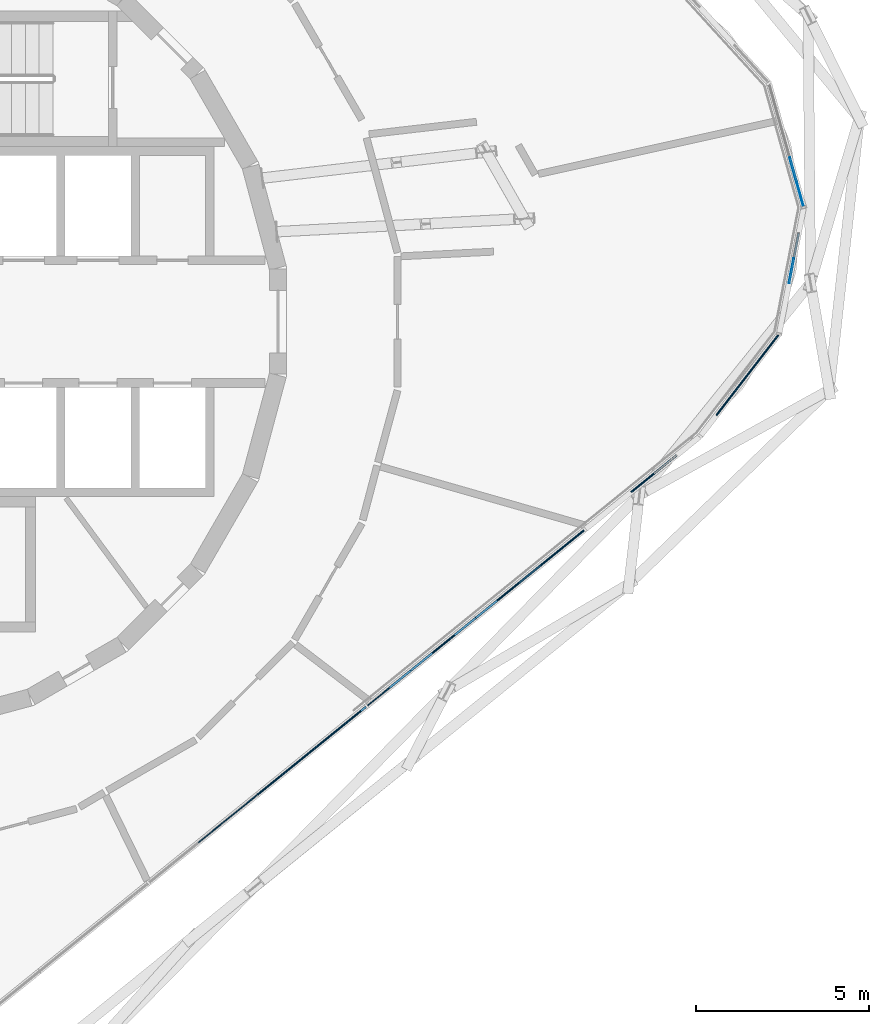
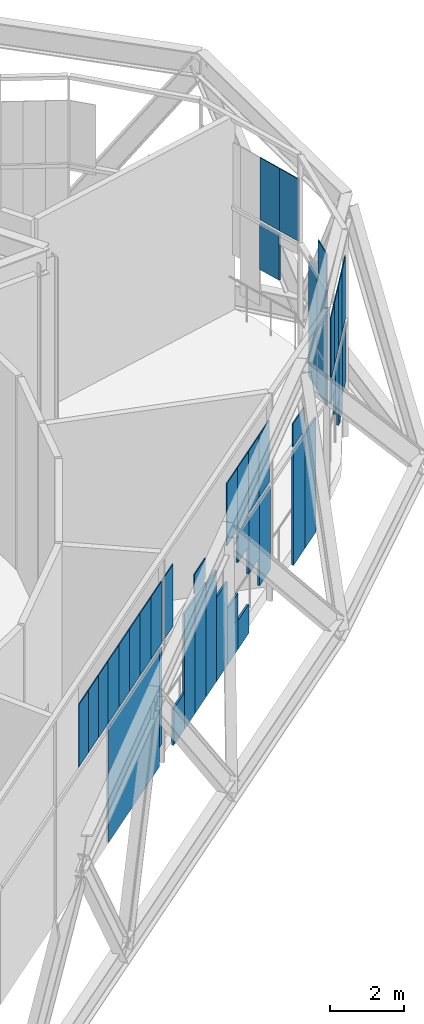
# One storey, part 13 of 25: 43 plates, 2 elements without a shape of their own.
"""IFC4 building model written with IfcOpenShell, lengths in metres."""

from ifc_helpers import new_model, si_unit, direction, frame, origin, origin_2d, place, context, subcontext, project, spatial, rectangle, extrude, material, layer, layer_set, type_object, element, aggregate, save


model = new_model("IFC4")

# Units and contexts
model_context = context("Model", 3, precision=1e-05, world=origin(), true_north=direction((0.0, 1.0)))
body_context = subcontext(model_context, "Body", "Model", "MODEL_VIEW")
ifc_project = project(units=[si_unit("LENGTHUNIT", "METRE"), si_unit("AREAUNIT", "SQUARE_METRE"), si_unit("VOLUMEUNIT", "CUBIC_METRE"), si_unit("PLANEANGLEUNIT", "RADIAN"), si_unit("MASSUNIT", "GRAM", prefix="KILO")], contexts=[model_context])

# Site, building, storey
site_placement = place(None, origin())
site = spatial("IfcSite", under=ifc_project, at=site_placement, CompositionType="ELEMENT")
building_placement = place(site_placement, origin())
building = spatial("IfcBuilding", under=site, at=building_placement, Name="Spindle Arch Residences", CompositionType="ELEMENT")
storey_placement = place(building_placement, frame((0.0, 0.0, 291.39990234375)))
storey = spatial("IfcBuildingStorey", under=building, at=storey_placement, Name="L75", CompositionType="ELEMENT", Elevation=291.39990234375)

# Curtain wall, plates
ifc_material_1 = material(Name="Aluminium bronze unitised frame with tinted glass", Category="aluminium")
ifc_layer_1 = layer(ifc_material_1, 0.159912109375)
ifc_layer_set_1 = layer_set([ifc_layer_1], Name="CW-E double-height winter garden wall")
curtain_wall_type = type_object("IfcCurtainWallType", Name="CW-E double-height winter garden wall", PredefinedType="NOTDEFINED", material=ifc_layer_set_1)
curtain_wall_1_placement = place(storey_placement, origin())
curtain_wall_1 = element("IfcCurtainWall", 1, at=curtain_wall_1_placement, inside=storey, type_object=curtain_wall_type, Name="CW-E L75 run 1", PredefinedType="NOTDEFINED")
ifc_material_2 = material(Name="Tinted laminated glass 28 mm", Category="glass")
ifc_layer_2 = layer(ifc_material_2, 0.028076171875)
ifc_layer_set_2 = layer_set([ifc_layer_2], Name="Tinted glass panel 28 mm")
plate_type_1 = type_object("IfcPlateType", Name="Tinted glass panel 28 mm", PredefinedType="CURTAIN_PANEL", material=ifc_layer_set_2)
plate_1_placement = place(storey_placement, frame((22.178466796875, -4.6572265625, 3.460205078125), z_axis=(0.0, 0.0, 1.0), x_axis=(0.777145961457, 0.62932039105, 0.0)))
plate_1 = element("IfcPlate", 2, at=plate_1_placement, type_object=plate_type_1, Name="CW-E panel 00b.1", PredefinedType="CURTAIN_PANEL", context=body_context, shape_type="SweptSolid", body=[
    extrude(rectangle(XDim=0.845458984375, YDim=0.028076171875, at=origin_2d()), origin(), (0.0, 0.0, 1.0), 0.763671875),
])
plate_2_placement = place(storey_placement, frame((24.534912109375, -2.41357421875, 3.460205078125), z_axis=(0.0, 0.0, 1.0), x_axis=(0.611066622764, 0.791579170105, 0.0)))
plate_2 = element("IfcPlate", 3, at=plate_2_placement, type_object=plate_type_1, Name="CW-E panel 01b.1", PredefinedType="CURTAIN_PANEL", context=body_context, shape_type="SweptSolid", body=[
    extrude(rectangle(XDim=0.7333984375, YDim=0.028076171875, at=origin_2d()), origin(), (0.0, 0.0, 1.0), 2.0458984375),
])
plate_3_placement = place(storey_placement, frame((24.98291015625, -1.833251953125, 3.460205078125), z_axis=(0.0, 0.0, 1.0), x_axis=(0.611066622764, 0.791579170105, 0.0)))
plate_3 = element("IfcPlate", 4, at=plate_3_placement, type_object=plate_type_1, Name="CW-E panel 01b.2", PredefinedType="CURTAIN_PANEL", context=body_context, shape_type="SweptSolid", body=[
    extrude(rectangle(XDim=0.7333984375, YDim=0.028076171875, at=origin_2d()), origin(), (0.0, 0.0, 1.0), 2.0458984375),
])
plate_4_placement = place(storey_placement, frame((25.43115234375, -1.252685546875, 3.460205078125), z_axis=(0.0, 0.0, 1.0), x_axis=(0.611066622764, 0.791579170105, 0.0)))
plate_4 = element("IfcPlate", 5, at=plate_4_placement, type_object=plate_type_1, Name="CW-E panel 01b.3", PredefinedType="CURTAIN_PANEL", context=body_context, shape_type="SweptSolid", body=[
    extrude(rectangle(XDim=0.7333984375, YDim=0.028076171875, at=origin_2d()), origin(), (0.0, 0.0, 1.0), 2.0458984375),
])
plate_5_placement = place(storey_placement, frame((25.879150390625, -0.672119140625, 3.460205078125), z_axis=(0.0, 0.0, 1.0), x_axis=(0.611066622764, 0.791579170105, 0.0)))
plate_5 = element("IfcPlate", 6, at=plate_5_placement, type_object=plate_type_1, Name="CW-E panel 01b.4", PredefinedType="CURTAIN_PANEL", context=body_context, shape_type="SweptSolid", body=[
    extrude(rectangle(XDim=0.7333984375, YDim=0.028076171875, at=origin_2d()), origin(), (0.0, 0.0, 1.0), 2.0458984375),
])
plate_6_placement = place(storey_placement, frame((26.47705078125, 1.470947265625, 3.460205078125), z_axis=(0.0, 0.0, 1.0), x_axis=(0.190808994811, 0.981627183558, 0.0)))
plate_6 = element("IfcPlate", 7, at=plate_6_placement, type_object=plate_type_1, Name="CW-E panel 02b.1", PredefinedType="CURTAIN_PANEL", context=body_context, shape_type="SweptSolid", body=[
    extrude(rectangle(XDim=0.7333984375, YDim=0.028076171875, at=origin_2d()), origin(), (0.0, 0.0, 1.0), 1.076171875),
])
plate_7_placement = place(storey_placement, frame((26.7255859375, 3.68212890625, 3.460205078125), z_axis=(0.0, 0.0, 1.0), x_axis=(-0.270040328007, 0.962849012696, 0.0)))
plate_7 = element("IfcPlate", 8, at=plate_7_placement, type_object=plate_type_1, Name="CW-E panel 03b.1", PredefinedType="CURTAIN_PANEL", context=body_context, shape_type="SweptSolid", body=[
    extrude(rectangle(XDim=0.7333984375, YDim=0.028076171875, at=origin_2d()), origin(), (0.0, 0.0, 1.0), 2.0458984375),
])
plate_8_placement = place(storey_placement, frame((26.527587890625, 4.38818359375, 3.460205078125), z_axis=(0.0, 0.0, 1.0), x_axis=(-0.270040328007, 0.962849012696, 0.0)))
plate_8 = element("IfcPlate", 9, at=plate_8_placement, type_object=plate_type_1, Name="CW-E panel 03b.2", PredefinedType="CURTAIN_PANEL", context=body_context, shape_type="SweptSolid", body=[
    extrude(rectangle(XDim=0.7333984375, YDim=0.028076171875, at=origin_2d()), origin(), (0.0, 0.0, 1.0), 2.0458984375),
])

curtain_wall_2_placement = place(storey_placement, origin())
curtain_wall_2 = element("IfcCurtainWall", 10, at=curtain_wall_2_placement, inside=storey, type_object=curtain_wall_type, Name="CW-E L75 run 6", PredefinedType="NOTDEFINED")
plate_9_placement = place(storey_placement, frame((9.6376953125, -14.8125, 3.460205078125), z_axis=(0.0, 0.0, 1.0), x_axis=(0.777145961457, 0.62932039105, 0.0)))
plate_9 = element("IfcPlate", 11, at=plate_9_placement, type_object=plate_type_1, Name="CW-E panel 19Ab.2", PredefinedType="CURTAIN_PANEL", context=body_context, shape_type="SweptSolid", body=[
    extrude(rectangle(XDim=0.732666015625, YDim=0.028076171875, at=origin_2d()), origin(), (0.0, 0.0, 1.0), 2.0458984375),
])
plate_10_placement = place(storey_placement, frame((10.20703125, -14.351318359375, 3.460205078125), z_axis=(0.0, 0.0, 1.0), x_axis=(0.777145961457, 0.62932039105, 0.0)))
plate_10 = element("IfcPlate", 12, at=plate_10_placement, type_object=plate_type_1, Name="CW-E panel 19Ab.3", PredefinedType="CURTAIN_PANEL", context=body_context, shape_type="SweptSolid", body=[
    extrude(rectangle(XDim=0.732666015625, YDim=0.028076171875, at=origin_2d()), origin(), (0.0, 0.0, 1.0), 2.0458984375),
])
plate_11_placement = place(storey_placement, frame((10.776611328125, -13.89013671875, 3.460205078125), z_axis=(0.0, 0.0, 1.0), x_axis=(0.777145961457, 0.62932039105, 0.0)))
plate_11 = element("IfcPlate", 13, at=plate_11_placement, type_object=plate_type_1, Name="CW-E panel 19Ab.4", PredefinedType="CURTAIN_PANEL", context=body_context, shape_type="SweptSolid", body=[
    extrude(rectangle(XDim=0.732666015625, YDim=0.028076171875, at=origin_2d()), origin(), (0.0, 0.0, 1.0), 2.0458984375),
])
plate_12_placement = place(storey_placement, frame((11.3740234375, -13.40625, 3.460205078125), z_axis=(0.0, 0.0, 1.0), x_axis=(0.777145961457, 0.62932039105, 0.0)))
plate_12 = element("IfcPlate", 14, at=plate_12_placement, type_object=plate_type_1, Name="CW-E panel 19Bb.1", PredefinedType="CURTAIN_PANEL", context=body_context, shape_type="SweptSolid", body=[
    extrude(rectangle(XDim=0.8046875, YDim=0.028076171875, at=origin_2d()), origin(), (0.0, 0.0, 1.0), 2.0458984375),
])
plate_13_placement = place(storey_placement, frame((11.99951171875, -12.89990234375, 3.460205078125), z_axis=(0.0, 0.0, 1.0), x_axis=(0.777145961457, 0.62932039105, 0.0)))
plate_13 = element("IfcPlate", 15, at=plate_13_placement, type_object=plate_type_1, Name="CW-E panel 19Bb.2", PredefinedType="CURTAIN_PANEL", context=body_context, shape_type="SweptSolid", body=[
    extrude(rectangle(XDim=0.8046875, YDim=0.028076171875, at=origin_2d()), origin(), (0.0, 0.0, 1.0), 2.0458984375),
])
plate_14_placement = place(storey_placement, frame((12.624755859375, -12.3935546875, 3.460205078125), z_axis=(0.0, 0.0, 1.0), x_axis=(0.777145961457, 0.62932039105, 0.0)))
plate_14 = element("IfcPlate", 16, at=plate_14_placement, type_object=plate_type_1, Name="CW-E panel 19Bb.3", PredefinedType="CURTAIN_PANEL", context=body_context, shape_type="SweptSolid", body=[
    extrude(rectangle(XDim=0.8046875, YDim=0.028076171875, at=origin_2d()), origin(), (0.0, 0.0, 1.0), 2.0458984375),
])
plate_15_placement = place(storey_placement, frame((13.250244140625, -11.886962890625, 3.460205078125), z_axis=(0.0, 0.0, 1.0), x_axis=(0.777145961457, 0.62932039105, 0.0)))
plate_15 = element("IfcPlate", 17, at=plate_15_placement, type_object=plate_type_1, Name="CW-E panel 19Bb.4", PredefinedType="CURTAIN_PANEL", context=body_context, shape_type="SweptSolid", body=[
    extrude(rectangle(XDim=0.8046875, YDim=0.028076171875, at=origin_2d()), origin(), (0.0, 0.0, 1.0), 2.0458984375),
])
plate_16_placement = place(storey_placement, frame((13.875732421875, -11.380615234375, 3.460205078125), z_axis=(0.0, 0.0, 1.0), x_axis=(0.777145961457, 0.62932039105, 0.0)))
plate_16 = element("IfcPlate", 18, at=plate_16_placement, type_object=plate_type_1, Name="CW-E panel 19Bb.5", PredefinedType="CURTAIN_PANEL", context=body_context, shape_type="SweptSolid", body=[
    extrude(rectangle(XDim=0.8046875, YDim=0.028076171875, at=origin_2d()), origin(), (0.0, 0.0, 1.0), 2.0458984375),
])
plate_17_placement = place(storey_placement, frame((14.547607421875, -10.83642578125, 3.460205078125), z_axis=(0.0, 0.0, 1.0), x_axis=(0.777145961457, 0.62932039105, 0.0)))
plate_17 = element("IfcPlate", 19, at=plate_17_placement, type_object=plate_type_1, Name="CW-E panel 00Ab.1", PredefinedType="CURTAIN_PANEL", context=body_context, shape_type="SweptSolid", body=[
    extrude(rectangle(XDim=0.8046875, YDim=0.028076171875, at=origin_2d()), origin(), (0.0, 0.0, 1.0), 2.0458984375),
])
plate_18_placement = place(storey_placement, frame((16.424072265625, -9.31689453125, 3.460205078125), z_axis=(0.0, 0.0, 1.0), x_axis=(0.777145961457, 0.62932039105, 0.0)))
plate_18 = element("IfcPlate", 20, at=plate_18_placement, type_object=plate_type_1, Name="CW-E panel 00Ab.2", PredefinedType="CURTAIN_PANEL", context=body_context, shape_type="SweptSolid", body=[
    extrude(rectangle(XDim=0.8046875, YDim=0.028076171875, at=origin_2d()), origin(), (0.0, 0.0, 1.0), 0.6572265625),
])
plate_19_placement = place(storey_placement, frame((18.30029296875, -7.797607421875, 3.460205078125), z_axis=(0.0, 0.0, 1.0), x_axis=(0.777145961457, 0.62932039105, 0.0)))
plate_19 = element("IfcPlate", 21, at=plate_19_placement, type_object=plate_type_1, Name="CW-E panel 00Bb.1", PredefinedType="CURTAIN_PANEL", context=body_context, shape_type="SweptSolid", body=[
    extrude(rectangle(XDim=0.8046875, YDim=0.028076171875, at=origin_2d()), origin(), (0.0, 0.0, 1.0), 2.0458984375),
])
plate_20_placement = place(storey_placement, frame((18.925537109375, -7.291259765625, 3.460205078125), z_axis=(0.0, 0.0, 1.0), x_axis=(0.777145961457, 0.62932039105, 0.0)))
plate_20 = element("IfcPlate", 22, at=plate_20_placement, type_object=plate_type_1, Name="CW-E panel 00Bb.2", PredefinedType="CURTAIN_PANEL", context=body_context, shape_type="SweptSolid", body=[
    extrude(rectangle(XDim=0.8046875, YDim=0.028076171875, at=origin_2d()), origin(), (0.0, 0.0, 1.0), 2.0458984375),
])
plate_21_placement = place(storey_placement, frame((19.551025390625, -6.78466796875, 3.460205078125), z_axis=(0.0, 0.0, 1.0), x_axis=(0.777145961457, 0.62932039105, 0.0)))
plate_21 = element("IfcPlate", 23, at=plate_21_placement, type_object=plate_type_1, Name="CW-E panel 00Bb.3", PredefinedType="CURTAIN_PANEL", context=body_context, shape_type="SweptSolid", body=[
    extrude(rectangle(XDim=0.8046875, YDim=0.028076171875, at=origin_2d()), origin(), (0.0, 0.0, 1.0), 2.0458984375),
])
plate_22_placement = place(storey_placement, frame((20.176513671875, -6.2783203125, 3.460205078125), z_axis=(0.0, 0.0, 1.0), x_axis=(0.777145961457, 0.62932039105, 0.0)))
plate_22 = element("IfcPlate", 24, at=plate_22_placement, type_object=plate_type_1, Name="CW-E panel 00Bb.4", PredefinedType="CURTAIN_PANEL", context=body_context, shape_type="SweptSolid", body=[
    extrude(rectangle(XDim=0.8046875, YDim=0.028076171875, at=origin_2d()), origin(), (0.0, 0.0, 1.0), 2.0458984375),
])

# Plate
ifc_material_3 = material(Name="Tinted double glazing over aluminium faced non-combustible spandrel zone (K0)", Category="aluminium")
ifc_layer_3 = layer(ifc_material_3, 0.06005859375)
ifc_layer_set_3 = layer_set([ifc_layer_3], Name="Unitised glass panel with E 60 spandrel zone")
plate_type_2 = type_object("IfcPlateType", Name="Unitised glass panel with E 60 spandrel zone", PredefinedType="CURTAIN_PANEL", material=ifc_layer_set_3)
plate_23_placement = place(storey_placement, frame((22.178466796875, -4.6572265625, -0.419921875), z_axis=(0.0, 0.0, 1.0), x_axis=(0.777145961457, 0.62932039105, 0.0)))
plate_23 = element("IfcPlate", 25, at=plate_23_placement, type_object=plate_type_2, Name="CW-E panel 00a.1", PredefinedType="CURTAIN_PANEL", context=body_context, shape_type="SweptSolid", body=[
    extrude(rectangle(XDim=0.845458984375, YDim=0.06005859375, at=origin_2d()), origin(), (0.0, 0.0, 1.0), 3.760009765625),
])

plate_24_placement = place(storey_placement, frame((22.83544921875, -4.125, -0.419921875), z_axis=(0.0, 0.0, 1.0), x_axis=(0.777145961457, 0.62932039105, 0.0)))
plate_24 = element("IfcPlate", 26, at=plate_24_placement, type_object=plate_type_2, Name="CW-E panel 00a.2", PredefinedType="CURTAIN_PANEL", context=body_context, shape_type="SweptSolid", body=[
    extrude(rectangle(XDim=0.845458984375, YDim=0.06005859375, at=origin_2d()), origin(), (0.0, 0.0, 1.0), 3.760009765625),
])

plate_25_placement = place(storey_placement, frame((24.534912109375, -2.41357421875, 2.68505859375), z_axis=(0.0, 0.0, 1.0), x_axis=(0.611066622764, 0.791579170105, 0.0)))
plate_25 = element("IfcPlate", 27, at=plate_25_placement, type_object=plate_type_2, Name="CW-E panel 01a.1", PredefinedType="CURTAIN_PANEL", context=body_context, shape_type="SweptSolid", body=[
    extrude(rectangle(XDim=0.7333984375, YDim=0.06005859375, at=origin_2d()), origin(), (0.0, 0.0, 1.0), 0.655029296875),
])

plate_26_placement = place(storey_placement, frame((24.98291015625, -1.833251953125, 1.818359375), z_axis=(0.0, 0.0, 1.0), x_axis=(0.611066622764, 0.791579170105, 0.0)))
plate_26 = element("IfcPlate", 28, at=plate_26_placement, type_object=plate_type_2, Name="CW-E panel 01a.2", PredefinedType="CURTAIN_PANEL", context=body_context, shape_type="SweptSolid", body=[
    extrude(rectangle(XDim=0.7333984375, YDim=0.06005859375, at=origin_2d()), origin(), (0.0, 0.0, 1.0), 1.521728515625),
])

plate_27_placement = place(storey_placement, frame((25.43115234375, -1.252685546875, 0.95166015625), z_axis=(0.0, 0.0, 1.0), x_axis=(0.611066622764, 0.791579170105, 0.0)))
plate_27 = element("IfcPlate", 29, at=plate_27_placement, type_object=plate_type_2, Name="CW-E panel 01a.3", PredefinedType="CURTAIN_PANEL", context=body_context, shape_type="SweptSolid", body=[
    extrude(rectangle(XDim=0.7333984375, YDim=0.06005859375, at=origin_2d()), origin(), (0.0, 0.0, 1.0), 2.388427734375),
])

plate_28_placement = place(storey_placement, frame((25.879150390625, -0.672119140625, 1.438232421875), z_axis=(0.0, 0.0, 1.0), x_axis=(0.611066622764, 0.791579170105, 0.0)))
plate_28 = element("IfcPlate", 30, at=plate_28_placement, type_object=plate_type_2, Name="CW-E panel 01a.4", PredefinedType="CURTAIN_PANEL", context=body_context, shape_type="SweptSolid", body=[
    extrude(rectangle(XDim=0.7333984375, YDim=0.06005859375, at=origin_2d()), origin(), (0.0, 0.0, 1.0), 1.90185546875),
])

plate_29_placement = place(storey_placement, frame((26.47705078125, 1.470947265625, -0.419921875), z_axis=(0.0, 0.0, 1.0), x_axis=(0.190808994811, 0.981627183558, 0.0)))
plate_29 = element("IfcPlate", 31, at=plate_29_placement, type_object=plate_type_2, Name="CW-E panel 02a.1", PredefinedType="CURTAIN_PANEL", context=body_context, shape_type="SweptSolid", body=[
    extrude(rectangle(XDim=0.7333984375, YDim=0.06005859375, at=origin_2d()), origin(), (0.0, 0.0, 1.0), 3.760009765625),
])

plate_30_placement = place(storey_placement, frame((26.616943359375, 2.19091796875, -0.419921875), z_axis=(0.0, 0.0, 1.0), x_axis=(0.190808994811, 0.981627183558, 0.0)))
plate_30 = element("IfcPlate", 32, at=plate_30_placement, type_object=plate_type_2, Name="CW-E panel 02a.2", PredefinedType="CURTAIN_PANEL", context=body_context, shape_type="SweptSolid", body=[
    extrude(rectangle(XDim=0.7333984375, YDim=0.06005859375, at=origin_2d()), origin(), (0.0, 0.0, 1.0), 3.760009765625),
])

plate_31_placement = place(storey_placement, frame((26.527587890625, 4.38818359375, 1.83837890625), z_axis=(0.0, 0.0, 1.0), x_axis=(-0.270040328007, 0.962849012696, 0.0)))
plate_31 = element("IfcPlate", 33, at=plate_31_placement, type_object=plate_type_2, Name="CW-E panel 03a.2", PredefinedType="CURTAIN_PANEL", context=body_context, shape_type="SweptSolid", body=[
    extrude(rectangle(XDim=0.7333984375, YDim=0.06005859375, at=origin_2d()), origin(), (0.0, 0.0, 1.0), 1.501708984375),
])

aggregate(curtain_wall_1, [plate_23, plate_24, plate_1, plate_25, plate_26, plate_27, plate_28, plate_2, plate_3, plate_4, plate_5, plate_29, plate_30, plate_6, plate_31, plate_7, plate_8])

plate_32_placement = place(storey_placement, frame((12.550537109375, -12.45361328125, -0.449951171875), z_axis=(0.0, 0.0, 1.0), x_axis=(0.777145961457, 0.62932039105, 0.0)))
plate_32 = element("IfcPlate", 34, at=plate_32_placement, type_object=plate_type_2, Name="CW-E panel 19Ba.1", PredefinedType="CURTAIN_PANEL", context=body_context, shape_type="SweptSolid", body=[
    extrude(rectangle(XDim=3.832763671875, YDim=0.06005859375, at=origin_2d()), origin(), (0.0, 0.0, 1.0), 3.7900390625),
])

plate_33_placement = place(storey_placement, frame((14.114013671875, -11.1875, 0.17822265625), z_axis=(0.0, 0.0, 1.0), x_axis=(0.777145961457, 0.62932039105, 0.0)))
plate_33 = element("IfcPlate", 35, at=plate_33_placement, type_object=plate_type_2, Name="CW-E panel 19Ba.2", PredefinedType="CURTAIN_PANEL", context=body_context, shape_type="SweptSolid", body=[
    extrude(rectangle(XDim=0.191162109375, YDim=0.06005859375, at=origin_2d()), origin(), (0.0, 0.0, 1.0), 3.161865234375),
])

plate_34_placement = place(storey_placement, frame((15.173095703125, -10.329833984375, -0.44970703125), z_axis=(0.0, 0.0, 1.0), x_axis=(0.777145961457, 0.62932039105, 0.0)))
plate_34 = element("IfcPlate", 36, at=plate_34_placement, type_object=plate_type_2, Name="CW-E panel 00Aa.2", PredefinedType="CURTAIN_PANEL", context=body_context, shape_type="SweptSolid", body=[
    extrude(rectangle(XDim=0.8046875, YDim=0.06005859375, at=origin_2d()), origin(), (0.0, 0.0, 1.0), 1.202880859375),
])

plate_35_placement = place(storey_placement, frame((15.798583984375, -9.823486328125, -0.449951171875), z_axis=(0.0, 0.0, 1.0), x_axis=(0.777145961457, 0.62932039105, 0.0)))
plate_35 = element("IfcPlate", 37, at=plate_35_placement, type_object=plate_type_2, Name="CW-E panel 00Aa.3", PredefinedType="CURTAIN_PANEL", context=body_context, shape_type="SweptSolid", body=[
    extrude(rectangle(XDim=0.8046875, YDim=0.06005859375, at=origin_2d()), origin(), (0.0, 0.0, 1.0), 3.7900390625),
])

plate_36_placement = place(storey_placement, frame((16.424072265625, -9.31689453125, -0.449951171875), z_axis=(0.0, 0.0, 1.0), x_axis=(0.777145961457, 0.62932039105, 0.0)))
plate_36 = element("IfcPlate", 38, at=plate_36_placement, type_object=plate_type_2, Name="CW-E panel 00Aa.4", PredefinedType="CURTAIN_PANEL", context=body_context, shape_type="SweptSolid", body=[
    extrude(rectangle(XDim=0.8046875, YDim=0.06005859375, at=origin_2d()), origin(), (0.0, 0.0, 1.0), 3.7900390625),
])

plate_37_placement = place(storey_placement, frame((17.04931640625, -8.810546875, -0.44970703125), z_axis=(0.0, 0.0, 1.0), x_axis=(0.777145961457, 0.62932039105, 0.0)))
plate_37 = element("IfcPlate", 39, at=plate_37_placement, type_object=plate_type_2, Name="CW-E panel 00Aa.5", PredefinedType="CURTAIN_PANEL", context=body_context, shape_type="SweptSolid", body=[
    extrude(rectangle(XDim=0.8046875, YDim=0.06005859375, at=origin_2d()), origin(), (0.0, 0.0, 1.0), 3.660888671875),
])

plate_38_placement = place(storey_placement, frame((17.6748046875, -8.30419921875, -0.449951171875), z_axis=(0.0, 0.0, 1.0), x_axis=(0.777145961457, 0.62932039105, 0.0)))
plate_38 = element("IfcPlate", 40, at=plate_38_placement, type_object=plate_type_2, Name="CW-E panel 00Ba.1", PredefinedType="CURTAIN_PANEL", context=body_context, shape_type="SweptSolid", body=[
    extrude(rectangle(XDim=0.8046875, YDim=0.06005859375, at=origin_2d()), origin(), (0.0, 0.0, 1.0), 2.7548828125),
])

plate_39_placement = place(storey_placement, frame((18.30029296875, -7.797607421875, -0.449951171875), z_axis=(0.0, 0.0, 1.0), x_axis=(0.777145961457, 0.62932039105, 0.0)))
plate_39 = element("IfcPlate", 41, at=plate_39_placement, type_object=plate_type_2, Name="CW-E panel 00Ba.2", PredefinedType="CURTAIN_PANEL", context=body_context, shape_type="SweptSolid", body=[
    extrude(rectangle(XDim=0.8046875, YDim=0.06005859375, at=origin_2d()), origin(), (0.0, 0.0, 1.0), 1.8486328125),
])

plate_40_placement = place(storey_placement, frame((18.925537109375, -7.291259765625, -0.449951171875), z_axis=(0.0, 0.0, 1.0), x_axis=(0.777145961457, 0.62932039105, 0.0)))
plate_40 = element("IfcPlate", 42, at=plate_40_placement, type_object=plate_type_2, Name="CW-E panel 00Ba.3", PredefinedType="CURTAIN_PANEL", context=body_context, shape_type="SweptSolid", body=[
    extrude(rectangle(XDim=0.8046875, YDim=0.06005859375, at=origin_2d()), origin(), (0.0, 0.0, 1.0), 0.9423828125),
])

plate_41_placement = place(storey_placement, frame((18.925537109375, -7.291259765625, 2.392578125), z_axis=(0.0, 0.0, 1.0), x_axis=(0.777145961457, 0.62932039105, 0.0)))
plate_41 = element("IfcPlate", 43, at=plate_41_placement, type_object=plate_type_2, Name="CW-E panel 00Ba.4", PredefinedType="CURTAIN_PANEL", context=body_context, shape_type="SweptSolid", body=[
    extrude(rectangle(XDim=0.8046875, YDim=0.06005859375, at=origin_2d()), origin(), (0.0, 0.0, 1.0), 0.947509765625),
])

plate_42_placement = place(storey_placement, frame((19.551025390625, -6.78466796875, 1.486328125), z_axis=(0.0, 0.0, 1.0), x_axis=(0.777145961457, 0.62932039105, 0.0)))
plate_42 = element("IfcPlate", 44, at=plate_42_placement, type_object=plate_type_2, Name="CW-E panel 00Ba.5", PredefinedType="CURTAIN_PANEL", context=body_context, shape_type="SweptSolid", body=[
    extrude(rectangle(XDim=0.8046875, YDim=0.06005859375, at=origin_2d()), origin(), (0.0, 0.0, 1.0), 1.853759765625),
])

plate_43_placement = place(storey_placement, frame((20.176513671875, -6.2783203125, 0.580078125), z_axis=(0.0, 0.0, 1.0), x_axis=(0.777145961457, 0.62932039105, 0.0)))
plate_43 = element("IfcPlate", 45, at=plate_43_placement, type_object=plate_type_2, Name="CW-E panel 00Ba.6", PredefinedType="CURTAIN_PANEL", context=body_context, shape_type="SweptSolid", body=[
    extrude(rectangle(XDim=0.8046875, YDim=0.06005859375, at=origin_2d()), origin(), (0.0, 0.0, 1.0), 2.760009765625),
])

aggregate(curtain_wall_2, [plate_9, plate_10, plate_11, plate_32, plate_33, plate_12, plate_13, plate_14, plate_15, plate_16, plate_34, plate_35, plate_36, plate_37, plate_17, plate_18, plate_38, plate_39, plate_40, plate_41, plate_42, plate_43, plate_19, plate_20, plate_21, plate_22])

save(model, "model.ifc")
